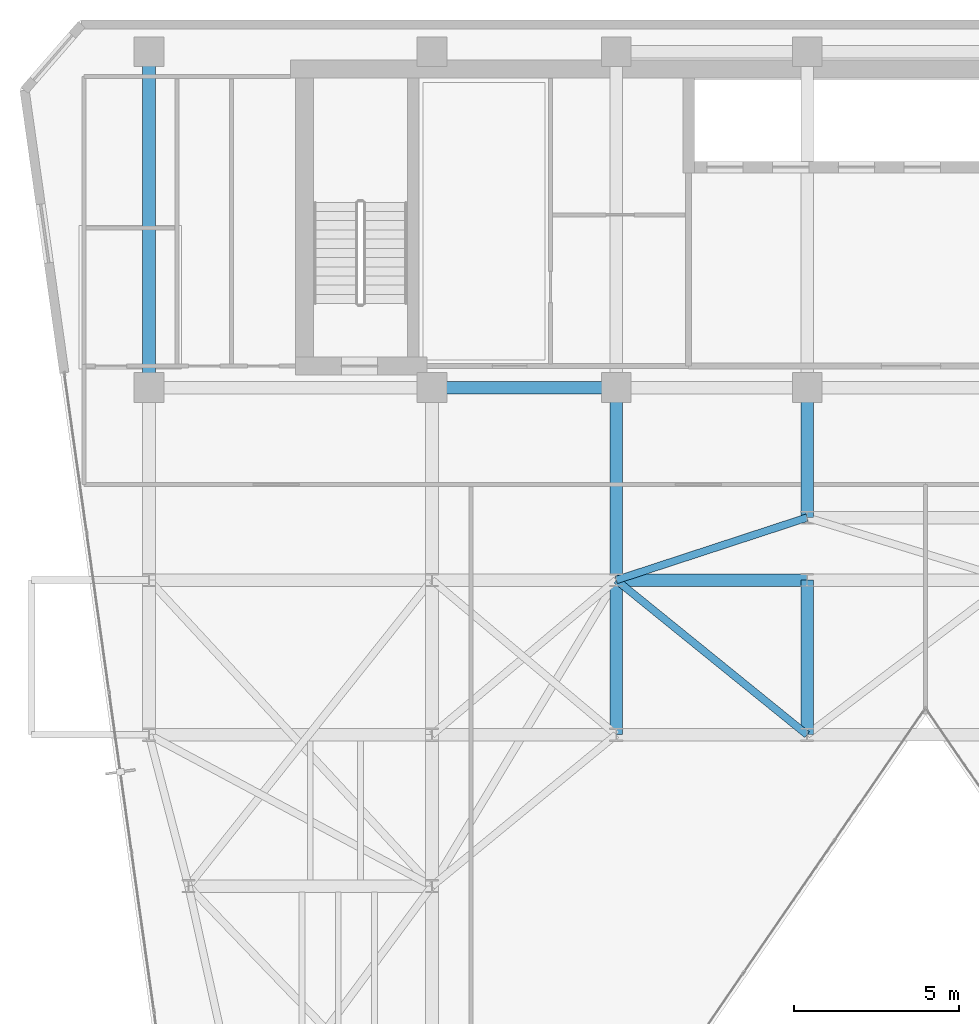
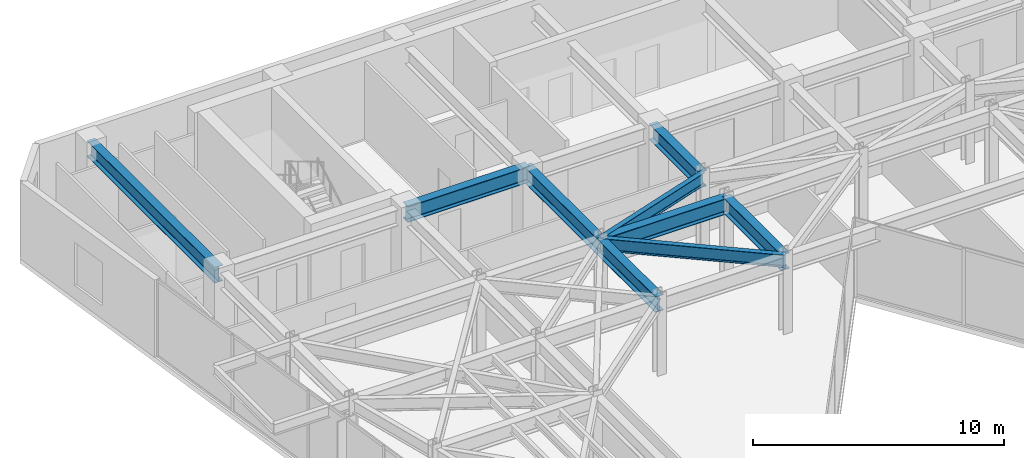
# One storey, part 13 of 27: 9 beams.
"""IFC4 building model written with IfcOpenShell, lengths in metres."""

import ifcopenshell
import ifcopenshell.guid

model = None  # the IFC model being written
_history = None  # IfcOwnerHistory: only IFC2X3 demands one
_inside = {}  # id of a spatial element -> (the spatial element, [elements in it])
_under = {}  # id of a project, library or spatial element -> (it, [spatial elements below it])
_declared = {}  # id of a project -> (the project, [libraries it declares])
_typed = {}  # id of a type object -> (the type object, [elements of that type])
_made_of = {}  # id of a material, layer set ... -> (it, [elements and type objects made of it])


def new_model(schema):
    """Start an empty IFC model of exactly this schema.

    Asked for "IFC4X3", IfcOpenShell would pick the latest addendum, in which some entities
    have other attributes; the version numbers below select the first issue.
    IFC2X3 requires an IfcOwnerHistory on every rooted entity: one is made here for all.
    """
    global model, _history
    if schema == "IFC4X3":
        model = ifcopenshell.file(schema_version=(4, 3, 0, 0))
    else:
        model = ifcopenshell.file(schema=schema)
    _inside.clear()
    _under.clear()
    _declared.clear()
    _typed.clear()
    _made_of.clear()
    _history = None
    if model.schema == "IFC2X3":
        org = make("IfcOrganization", Name="unknown")
        user = make(
            "IfcPersonAndOrganization",
            ThePerson=make("IfcPerson", FamilyName="unknown"),
            TheOrganization=org,
        )
        app = make(
            "IfcApplication",
            ApplicationDeveloper=org,
            Version="unknown",
            ApplicationFullName="unknown",
            ApplicationIdentifier="unknown",
        )
        _history = make(
            "IfcOwnerHistory",
            OwningUser=user,
            OwningApplication=app,
            ChangeAction="ADDED",
            CreationDate=0,
        )
    return model


def make(cls, **values):
    """One entity of the class cls with the attributes given. An attribute that is None is left unset."""
    return model.create_entity(
        cls, **{name: value for name, value in values.items() if value is not None}
    )


def rooted(cls, **values):
    """An entity with a GlobalId (a new one), such as an element, a storey or a relation."""
    return make(cls, GlobalId=ifcopenshell.guid.new(), OwnerHistory=_history, **values)


def si_unit(unit_type, name, prefix=None):
    """IfcSIUnit, for example si_unit("LENGTHUNIT", "METRE", prefix="MILLI")."""
    return make("IfcSIUnit", UnitType=unit_type, Prefix=prefix, Name=name)


def assignment(units):
    """IfcUnitAssignment: the units of a project."""
    return None if units is None else make("IfcUnitAssignment", Units=units)


def point(xyz):
    """IfcCartesianPoint."""
    return None if xyz is None else make("IfcCartesianPoint", Coordinates=xyz)


def direction(xyz):
    """IfcDirection."""
    return None if xyz is None else make("IfcDirection", DirectionRatios=xyz)


def frame(location, z_axis=None, x_axis=None):
    """IfcAxis2Placement3D, a coordinate frame: its origin and axes. An axis left out is left unset."""
    return make(
        "IfcAxis2Placement3D",
        Location=point(location),
        Axis=direction(z_axis),
        RefDirection=direction(x_axis),
    )


def frame_2d(location, x_axis=None):
    """IfcAxis2Placement2D, a coordinate frame in the plane: its origin and x axis."""
    return make(
        "IfcAxis2Placement2D", Location=point(location), RefDirection=direction(x_axis)
    )


def origin():
    """The frame at (0, 0, 0) with its axes left unset."""
    return frame((0.0, 0.0, 0.0))


def origin_2d():
    """The frame at (0, 0) in the plane with its x axis left unset."""
    return frame_2d((0.0, 0.0))


def place(relative_to, where):
    """IfcLocalPlacement: puts the frame where relative to a parent placement (None: the world)."""
    return make(
        "IfcLocalPlacement", PlacementRelTo=relative_to, RelativePlacement=where
    )


def context(
    kind, dimensions, precision=None, world=None, true_north=None, identifier=None
):
    """IfcGeometricRepresentationContext, for example the 3D "Model" context."""
    return make(
        "IfcGeometricRepresentationContext",
        ContextIdentifier=identifier,
        ContextType=kind,
        CoordinateSpaceDimension=dimensions,
        Precision=precision,
        WorldCoordinateSystem=world,
        TrueNorth=true_north,
    )


def subcontext(parent, identifier, kind, view, scale=None):
    """IfcGeometricRepresentationSubContext, for example "Body" below "Model"."""
    return make(
        "IfcGeometricRepresentationSubContext",
        ContextIdentifier=identifier,
        ContextType=kind,
        ParentContext=parent,
        TargetScale=scale,
        TargetView=view,
    )


def project(units=None, contexts=None):
    """IfcProject with its units and contexts."""
    return rooted(
        "IfcProject",
        Name="project",
        RepresentationContexts=contexts,
        UnitsInContext=assignment(units),
    )


def spatial(cls, under=None, at=None, **own):
    """A site, building, storey or space (cls), placed at a placement, below another one or the project."""
    s = rooted(cls, ObjectPlacement=at, **own)
    if under is not None:
        _under.setdefault(under.id(), (under, []))[1].append(s)
    return s


def profile(cls, at=None, kind="AREA", **sizes):
    """A parametric profile (cls). Its sizes go by their IFC names, for example OverallWidth=200.0."""
    return make(cls, ProfileType=kind, Position=at, **sizes)


def i_section(**sizes):
    """IfcIShapeProfileDef."""
    return profile("IfcIShapeProfileDef", **sizes)


def extrude(swept, where, along, depth):
    """IfcExtrudedAreaSolid: the profile swept, set in the frame where, extruded along a direction by depth."""
    return make(
        "IfcExtrudedAreaSolid",
        SweptArea=swept,
        Position=where,
        ExtrudedDirection=direction(along),
        Depth=depth,
    )


def shape(context_of_items, identifier, shape_type, items):
    """IfcShapeRepresentation: the items that make up one representation, for example the "Body"."""
    return make(
        "IfcShapeRepresentation",
        ContextOfItems=context_of_items,
        RepresentationIdentifier=identifier,
        RepresentationType=shape_type,
        Items=items,
    )


def material(Name=None, Category=None):
    """IfcMaterial."""
    return make("IfcMaterial", Name=Name, Category=Category)


def material_profile(
    of_material, cross_section, Name=None, Category=None, Priority=None
):
    """IfcMaterialProfile: a cross section and its material."""
    return make(
        "IfcMaterialProfile",
        Name=Name,
        Material=of_material,
        Profile=cross_section,
        Priority=Priority,
        Category=Category,
    )


def profile_set(profiles, Name=None, composite=None):
    """IfcMaterialProfileSet."""
    return make(
        "IfcMaterialProfileSet",
        Name=Name,
        MaterialProfiles=profiles,
        CompositeProfile=composite,
    )


def made_of(thing, what):
    """Note that an element or type object is made of a material, layer set ...; save() writes the relation."""
    if what is not None:
        _made_of.setdefault(what.id(), (what, []))[1].append(thing)
    return thing


def type_object(cls, material=None, **own):
    """A type object (cls), such as IfcWallType, which elements share."""
    return made_of(rooted(cls, **own), material)


def element(
    cls,
    number,
    at=None,
    inside=None,
    cuts=None,
    type_object=None,
    material=None,
    context=None,
    identifier="Body",
    shape_type=None,
    held_by="IfcProductDefinitionShape",
    body=None,
    shapes=None,
    **own,
):
    """One element of the class cls, such as IfcWall. Its Tag is "e" and its number.

    at: its placement. inside: the storey or other place that contains it. cuts: it is an
    opening in that element (IfcRelVoidsElement). A single representation is given by context,
    identifier, shape_type and body (its items); several are given by shapes. held_by: the class
    of the entity that holds the representations. save() writes the other relations.
    """
    e = rooted(cls, Tag="e%d" % number, ObjectPlacement=at, **own)
    if body is not None:
        shapes = [shape(context, identifier, shape_type, body)]
    if shapes is not None:
        e.Representation = make(held_by, Representations=shapes)
    if inside is not None:
        _inside.setdefault(inside.id(), (inside, []))[1].append(e)
    if cuts is not None:
        rooted(
            "IfcRelVoidsElement", RelatingBuildingElement=cuts, RelatedOpeningElement=e
        )
    if type_object is not None:
        _typed.setdefault(type_object.id(), (type_object, []))[1].append(e)
    return made_of(e, material)


def aggregate(whole, parts):
    """IfcRelAggregates: a whole, such as a stair, and the parts it consists of."""
    return rooted("IfcRelAggregates", RelatingObject=whole, RelatedObjects=parts)


def save(model, path):
    """Write the relations noted so far, then the file.

    IfcRelAggregates (storeys below a building ...), IfcRelContainedInSpatialStructure (elements
    in a storey), IfcRelDefinesByType, IfcRelAssociatesMaterial and IfcRelDeclares: one each for
    every whole, place, type object, material and project.
    """
    for whole, parts in _under.values():
        aggregate(whole, parts)
    for where, things in _inside.values():
        rooted(
            "IfcRelContainedInSpatialStructure",
            RelatedElements=things,
            RelatingStructure=where,
        )
    for kind, things in _typed.values():
        rooted("IfcRelDefinesByType", RelatedObjects=things, RelatingType=kind)
    for what, things in _made_of.values():
        rooted("IfcRelAssociatesMaterial", RelatedObjects=things, RelatingMaterial=what)
    for by, libraries in _declared.values():
        rooted("IfcRelDeclares", RelatingContext=by, RelatedDefinitions=libraries)
    model.write(path)


model = new_model("IFC4")

# Units and contexts
model_context = context("Model", 3, precision=1e-05, world=origin(), true_north=direction((0.0, 1.0)))
body_context = subcontext(model_context, "Body", "Model", "MODEL_VIEW")
ifc_project = project(units=[si_unit("LENGTHUNIT", "METRE"), si_unit("AREAUNIT", "SQUARE_METRE"), si_unit("VOLUMEUNIT", "CUBIC_METRE"), si_unit("PLANEANGLEUNIT", "RADIAN"), si_unit("MASSUNIT", "GRAM", prefix="KILO")], contexts=[model_context])

# Site, building, storey
site_placement = place(None, origin())
site = spatial("IfcSite", under=ifc_project, at=site_placement, CompositionType="ELEMENT")
building_placement = place(site_placement, origin())
building = spatial("IfcBuilding", under=site, at=building_placement, Name="Kravanh Interchange Tower", CompositionType="ELEMENT")
storey_placement = place(building_placement, frame((0.0, 0.0, 196.5)))
storey = spatial("IfcBuildingStorey", under=building, at=storey_placement, Name="L47", CompositionType="ELEMENT", Elevation=196.5)

# Beams
ifc_material_1 = material(Name="Structural Steel S355", Category="steel")
ifc_material_profile_1 = material_profile(ifc_material_1, i_section(OverallWidth=0.381103515625, OverallDepth=0.77294921875, WebThickness=0.0166015625, FlangeThickness=0.027099609375, FilletRadius=0.02490234375, at=origin_2d()), Name="W30X173")
ifc_profile_set_1 = profile_set([ifc_material_profile_1], Name="Structural Steel S355")
beam_type_1 = type_object("IfcBeamType", Name="Floor Beam W30X173 Structural Steel S355", PredefinedType="BEAM", material=ifc_profile_set_1)
beam_1_placement = place(storey_placement, frame((38.60009765625, 37.35009765625, 3.368408203125), z_axis=(0.0, -1.0, 0.0), x_axis=(1.0, 0.0, 0.0)))
element("IfcBeam", 1, at=beam_1_placement, inside=storey, type_object=beam_type_1, Name="L47 Primary Floor Girder 16", PredefinedType="BEAM", context=body_context, shape_type="SweptSolid", body=[
    extrude(i_section(OverallWidth=0.381103515625, OverallDepth=0.77294921875, WebThickness=0.0166015625, FlangeThickness=0.027099609375, FilletRadius=0.02490234375, at=origin_2d()), origin(), (0.0, 0.0, 1.0), 3.9501953125),
])
beam_2_placement = place(storey_placement, frame((32.800048828125, 37.35009765625, 3.368408203125), z_axis=(-1.0, 0.0, 0.0), x_axis=(0.0, -1.0, 0.0)))
element("IfcBeam", 2, at=beam_2_placement, inside=storey, type_object=beam_type_1, Name="L47 Primary Floor Girder 20", PredefinedType="BEAM", context=body_context, shape_type="SweptSolid", body=[
    extrude(i_section(OverallWidth=0.381103515625, OverallDepth=0.77294921875, WebThickness=0.0166015625, FlangeThickness=0.027099609375, FilletRadius=0.02490234375, at=origin_2d()), origin(), (0.0, 0.0, 1.0), 5.60009765625),
])
beam_3_placement = place(storey_placement, frame((32.800048828125, 37.35009765625, 3.368408203125), z_axis=(0.0, -1.0, 0.0), x_axis=(1.0, 0.0, 0.0)))
element("IfcBeam", 3, at=beam_3_placement, inside=storey, type_object=beam_type_1, Name="L47 Primary Floor Girder 21", PredefinedType="BEAM", context=body_context, shape_type="SweptSolid", body=[
    extrude(i_section(OverallWidth=0.381103515625, OverallDepth=0.77294921875, WebThickness=0.0166015625, FlangeThickness=0.027099609375, FilletRadius=0.02490234375, at=origin_2d()), origin(), (0.0, 0.0, 1.0), 5.85009765625),
])
beam_4_placement = place(storey_placement, frame((18.60009765625, 37.35009765625, 3.368408203125), z_axis=(0.0, 1.0, 0.0), x_axis=(-1.0, 0.0, 0.0)))
element("IfcBeam", 4, at=beam_4_placement, inside=storey, type_object=beam_type_1, Name="L47 Primary Floor Girder 29", PredefinedType="BEAM", context=body_context, shape_type="SweptSolid", body=[
    extrude(i_section(OverallWidth=0.381103515625, OverallDepth=0.77294921875, WebThickness=0.0166015625, FlangeThickness=0.027099609375, FilletRadius=0.02490234375, at=origin_2d()), origin(), (0.0, 0.0, 1.0), 10.199951171875),
])
for number, where, z_axis, x_axis, name in (
    (5, (32.800048828125, 26.800048828125, 3.368408203125), (0.0, 1.0, 0.0), (-1.0, 0.0, 0.0), "L47 Primary Floor Girder 41"),
    (6, (38.60009765625, 26.800048828125, 3.368408203125), (0.0, 1.0, 0.0), (-1.0, 0.0, 0.0), "L47 Primary Floor Girder 45"),
):
    element("IfcBeam", number, at=place(storey_placement, frame(where, z_axis=z_axis, x_axis=x_axis)), inside=storey, type_object=beam_type_1, Name=name, PredefinedType="BEAM", context=body_context, shape_type="SweptSolid", body=[
        extrude(i_section(OverallWidth=0.381103515625, OverallDepth=0.77294921875, WebThickness=0.0166015625, FlangeThickness=0.027099609375, FilletRadius=0.02490234375, at=origin_2d()), origin(), (0.0, 0.0, 1.0), 4.699951171875),
    ])
beam_5_placement = place(storey_placement, frame((32.800048828125, 31.5, 3.368408203125), z_axis=(1.0, 0.0, 0.0), x_axis=(0.0, 1.0, 0.0)))
element("IfcBeam", 7, at=beam_5_placement, inside=storey, type_object=beam_type_1, Name="L47 Primary Floor Girder 67", PredefinedType="BEAM", context=body_context, shape_type="SweptSolid", body=[
    extrude(i_section(OverallWidth=0.381103515625, OverallDepth=0.77294921875, WebThickness=0.0166015625, FlangeThickness=0.027099609375, FilletRadius=0.02490234375, at=origin_2d()), origin(), (0.0, 0.0, 1.0), 5.800048828125),
])
ifc_material_2 = material(Name="Structural Steel S355", Category="steel")
ifc_material_profile_2 = material_profile(ifc_material_2, i_section(OverallWidth=0.22802734375, OverallDepth=0.60791015625, WebThickness=0.01123046875, FlangeThickness=0.017333984375, FilletRadius=0.02197265625, at=origin_2d()), Name="W24X76")
ifc_profile_set_2 = profile_set([ifc_material_profile_2], Name="Structural Steel S355")
beam_type_2 = type_object("IfcBeamType", Name="Floor Spandrel W24X76 Structural Steel S355", PredefinedType="SPANDREL", material=ifc_profile_set_2)
beam_6_placement = place(storey_placement, frame((38.60009765625, 26.800048828125, 3.450927734375), z_axis=(-0.776938619557, 0.629576350764, 0.0), x_axis=(-0.629576350764, -0.776938619557, 0.0)))
element("IfcBeam", 8, at=beam_6_placement, inside=storey, type_object=beam_type_2, Name="L47 Perimeter Spandrel 46", PredefinedType="SPANDREL", context=body_context, shape_type="SweptSolid", body=[
    extrude(i_section(OverallWidth=0.22802734375, OverallDepth=0.60791015625, WebThickness=0.01123046875, FlangeThickness=0.017333984375, FilletRadius=0.02197265625, at=origin_2d()), origin(), (0.0, 0.0, 1.0), 7.46533203125),
])
beam_7_placement = place(storey_placement, frame((32.800048828125, 31.5, 3.450927734375), z_axis=(0.950314536578, 0.31129131303, 0.0), x_axis=(-0.31129131303, 0.950314536578, 0.0)))
element("IfcBeam", 9, at=beam_7_placement, inside=storey, type_object=beam_type_2, Name="L47 Perimeter Spandrel 68", PredefinedType="SPANDREL", context=body_context, shape_type="SweptSolid", body=[
    extrude(i_section(OverallWidth=0.22802734375, OverallDepth=0.60791015625, WebThickness=0.01123046875, FlangeThickness=0.017333984375, FilletRadius=0.02197265625, at=origin_2d()), origin(), (0.0, 0.0, 1.0), 6.103271484375),
])

save(model, "model.ifc")
